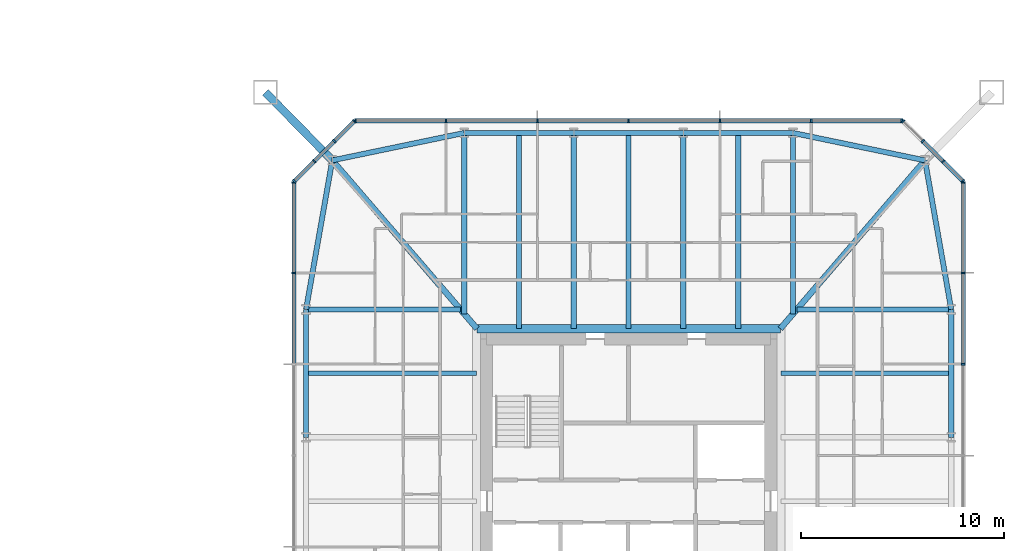
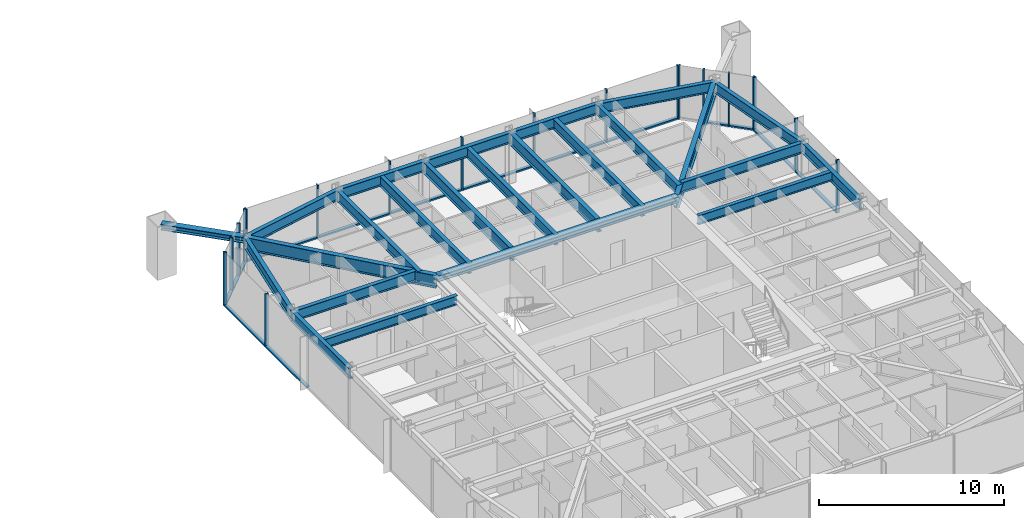
# One storey, part 10 of 26: 36 members, 23 beams, 5 elements without a shape of their own.
"""IFC4 building model written with IfcOpenShell, lengths in metres."""

from ifc_helpers import new_model, si_unit, direction, frame, origin, origin_2d, place, context, subcontext, project, spatial, rectangle, i_section, extrude, material, material_profile, profile_set, type_object, element, aggregate, save


model = new_model("IFC4")

# Units and contexts
model_context = context("Model", 3, precision=1e-05, world=origin(), true_north=direction((0.0, 1.0)))
body_context = subcontext(model_context, "Body", "Model", "MODEL_VIEW")
ifc_project = project(units=[si_unit("LENGTHUNIT", "METRE"), si_unit("AREAUNIT", "SQUARE_METRE"), si_unit("VOLUMEUNIT", "CUBIC_METRE"), si_unit("PLANEANGLEUNIT", "RADIAN"), si_unit("MASSUNIT", "GRAM", prefix="KILO")], contexts=[model_context])

# Site, building, storey
site_placement = place(None, origin())
site = spatial("IfcSite", under=ifc_project, at=site_placement, CompositionType="ELEMENT")
building_placement = place(site_placement, origin())
building = spatial("IfcBuilding", under=site, at=building_placement, Name="Iwan Alto Co-Living Towers", CompositionType="ELEMENT")
storey_placement = place(building_placement, frame((0.0, 0.0, 39.5)))
storey = spatial("IfcBuildingStorey", under=building, at=storey_placement, Name="L10", CompositionType="ELEMENT", Elevation=39.5)

# Curtain wall, members
ifc_material_1 = material(Name="Bronze aluminium unitised frame", Category="aluminium")
curtain_wall_type_1 = type_object("IfcCurtainWallType", Name="CURTAIN WALL CW-C", PredefinedType="NOTDEFINED", material=ifc_material_1)
curtain_wall_1_placement = place(storey_placement, origin())
curtain_wall_1 = element("IfcCurtainWall", 1, at=curtain_wall_1_placement, inside=storey, type_object=curtain_wall_type_1, Name="T2 curtain wall E L10", PredefinedType="NOTDEFINED")
ifc_material_2 = material(Name="Aluminium 6063-T6 bronze anodised", Category="aluminium")
ifc_material_profile_1 = material_profile(ifc_material_2, rectangle(XDim=0.199951171875, YDim=0.080078125, at=origin_2d()), Name="AL 80X200")
ifc_profile_set_1 = profile_set([ifc_material_profile_1], Name="Aluminium 6063-T6 bronze anodised")
member_type_1 = type_object("IfcMemberType", Name="CW-C MULLION 80X200", PredefinedType="MULLION", material=ifc_profile_set_1)
member_1_placement = place(storey_placement, frame((79.5, 6.75, 0.0), z_axis=(0.0, 0.0, 1.0), x_axis=(-1.0, 0.0, 0.0)))
member_1 = element("IfcMember", 2, at=member_1_placement, type_object=member_type_1, Name="CW-C mullion 6", PredefinedType="MULLION", context=body_context, shape_type="SweptSolid", body=[
    extrude(rectangle(XDim=0.199951171875, YDim=0.080078125, at=origin_2d()), origin(), (0.0, 0.0, 1.0), 3.5),
])
member_2_placement = place(storey_placement, frame((79.5, 11.25, 0.0), z_axis=(0.0, 0.0, 1.0), x_axis=(-1.0, 0.0, 0.0)))
member_2 = element("IfcMember", 3, at=member_2_placement, type_object=member_type_1, Name="CW-C mullion 7", PredefinedType="MULLION", context=body_context, shape_type="SweptSolid", body=[
    extrude(rectangle(XDim=0.199951171875, YDim=0.080078125, at=origin_2d()), origin(), (0.0, 0.0, 1.0), 3.5),
])
member_3_placement = place(storey_placement, frame((79.5, 15.7099609375, 0.0), z_axis=(0.0, 0.0, 1.0), x_axis=(-1.0, 0.0, 0.0)))
member_3 = element("IfcMember", 4, at=member_3_placement, type_object=member_type_1, Name="CW-C mullion 8", PredefinedType="MULLION", context=body_context, shape_type="SweptSolid", body=[
    extrude(rectangle(XDim=0.199951171875, YDim=0.080078125, at=origin_2d()), origin(), (0.0, 0.0, 1.0), 3.5),
])

curtain_wall_2_placement = place(storey_placement, origin())
curtain_wall_2 = element("IfcCurtainWall", 5, at=curtain_wall_2_placement, inside=storey, type_object=curtain_wall_type_1, Name="T2 curtain wall N L10", PredefinedType="NOTDEFINED")
member_4_placement = place(storey_placement, frame((76.4599609375, 18.75, 0.0), z_axis=(0.0, 0.0, 1.0), x_axis=(0.0, -1.0, 0.0)))
member_4 = element("IfcMember", 6, at=member_4_placement, type_object=member_type_1, Name="CW-C mullion 1", PredefinedType="MULLION", context=body_context, shape_type="SweptSolid", body=[
    extrude(rectangle(XDim=0.199951171875, YDim=0.080078125, at=origin_2d()), origin(), (0.0, 0.0, 1.0), 3.5),
])
member_5_placement = place(storey_placement, frame((72.0, 18.75, 0.0), z_axis=(0.0, 0.0, 1.0), x_axis=(0.0, -1.0, 0.0)))
member_5 = element("IfcMember", 7, at=member_5_placement, type_object=member_type_1, Name="CW-C mullion 2", PredefinedType="MULLION", context=body_context, shape_type="SweptSolid", body=[
    extrude(rectangle(XDim=0.199951171875, YDim=0.080078125, at=origin_2d()), origin(), (0.0, 0.0, 1.0), 3.5),
])
member_6_placement = place(storey_placement, frame((67.5, 18.75, 0.0), z_axis=(0.0, 0.0, 1.0), x_axis=(0.0, -1.0, 0.0)))
member_6 = element("IfcMember", 8, at=member_6_placement, type_object=member_type_1, Name="CW-C mullion 3", PredefinedType="MULLION", context=body_context, shape_type="SweptSolid", body=[
    extrude(rectangle(XDim=0.199951171875, YDim=0.080078125, at=origin_2d()), origin(), (0.0, 0.0, 1.0), 3.5),
])
member_7_placement = place(storey_placement, frame((63.0, 18.75, 0.0), z_axis=(0.0, 0.0, 1.0), x_axis=(0.0, -1.0, 0.0)))
member_7 = element("IfcMember", 9, at=member_7_placement, type_object=member_type_1, Name="CW-C mullion 4", PredefinedType="MULLION", context=body_context, shape_type="SweptSolid", body=[
    extrude(rectangle(XDim=0.199951171875, YDim=0.080078125, at=origin_2d()), origin(), (0.0, 0.0, 1.0), 3.5),
])
member_8_placement = place(storey_placement, frame((58.5, 18.75, 0.0), z_axis=(0.0, 0.0, 1.0), x_axis=(0.0, -1.0, 0.0)))
member_8 = element("IfcMember", 10, at=member_8_placement, type_object=member_type_1, Name="CW-C mullion 5", PredefinedType="MULLION", context=body_context, shape_type="SweptSolid", body=[
    extrude(rectangle(XDim=0.199951171875, YDim=0.080078125, at=origin_2d()), origin(), (0.0, 0.0, 1.0), 3.5),
])
member_9_placement = place(storey_placement, frame((54.0, 18.75, 0.0), z_axis=(0.0, 0.0, 1.0), x_axis=(0.0, -1.0, 0.0)))
member_9 = element("IfcMember", 11, at=member_9_placement, type_object=member_type_1, Name="CW-C mullion 6", PredefinedType="MULLION", context=body_context, shape_type="SweptSolid", body=[
    extrude(rectangle(XDim=0.199951171875, YDim=0.080078125, at=origin_2d()), origin(), (0.0, 0.0, 1.0), 3.5),
])
member_10_placement = place(storey_placement, frame((49.5400390625, 18.75, 0.0), z_axis=(0.0, 0.0, 1.0), x_axis=(0.0, -1.0, 0.0)))
member_10 = element("IfcMember", 12, at=member_10_placement, type_object=member_type_1, Name="CW-C mullion 7", PredefinedType="MULLION", context=body_context, shape_type="SweptSolid", body=[
    extrude(rectangle(XDim=0.199951171875, YDim=0.080078125, at=origin_2d()), origin(), (0.0, 0.0, 1.0), 3.5),
])

curtain_wall_3_placement = place(storey_placement, origin())
curtain_wall_3 = element("IfcCurtainWall", 13, at=curtain_wall_3_placement, inside=storey, type_object=curtain_wall_type_1, Name="T2 curtain wall W L10", PredefinedType="NOTDEFINED")
member_11_placement = place(storey_placement, frame((46.5, 15.7099609375, 0.0), z_axis=(0.0, 0.0, 1.0), x_axis=(1.0, 0.0, 0.0)))
member_11 = element("IfcMember", 14, at=member_11_placement, type_object=member_type_1, Name="CW-C mullion 1", PredefinedType="MULLION", context=body_context, shape_type="SweptSolid", body=[
    extrude(rectangle(XDim=0.199951171875, YDim=0.080078125, at=origin_2d()), origin(), (0.0, 0.0, 1.0), 3.5),
])
member_12_placement = place(storey_placement, frame((46.5, 11.25, 0.0), z_axis=(0.0, 0.0, 1.0), x_axis=(1.0, 0.0, 0.0)))
member_12 = element("IfcMember", 15, at=member_12_placement, type_object=member_type_1, Name="CW-C mullion 2", PredefinedType="MULLION", context=body_context, shape_type="SweptSolid", body=[
    extrude(rectangle(XDim=0.199951171875, YDim=0.080078125, at=origin_2d()), origin(), (0.0, 0.0, 1.0), 3.5),
])

# Member
ifc_material_3 = material(Name="Aluminium 6063-T6 bronze anodised", Category="aluminium")
ifc_material_profile_2 = material_profile(ifc_material_3, rectangle(XDim=0.199951171875, YDim=0.10009765625, at=origin_2d()), Name="AL 200X100")
ifc_profile_set_2 = profile_set([ifc_material_profile_2], Name="Aluminium 6063-T6 bronze anodised")
member_type_2 = type_object("IfcMemberType", Name="CW-C TRANSOM 200X100", PredefinedType="USERDEFINED", material=ifc_profile_set_2)
member_13_placement = place(storey_placement, frame((79.5, 6.7900390625, 0.050048828125), z_axis=(0.0, 1.0, 0.0), x_axis=(-1.0, 0.0, 0.0)))
member_13 = element("IfcMember", 16, at=member_13_placement, type_object=member_type_2, Name="CW-C transom 6.1", ObjectType="TRANSOM", PredefinedType="USERDEFINED", context=body_context, shape_type="SweptSolid", body=[
    extrude(rectangle(XDim=0.199951171875, YDim=0.10009765625, at=origin_2d()), origin(), (0.0, 0.0, 1.0), 4.419921875),
])

member_14_placement = place(storey_placement, frame((79.5, 11.2900390625, 0.050048828125), z_axis=(0.0, 1.0, 0.0), x_axis=(-1.0, 0.0, 0.0)))
member_14 = element("IfcMember", 17, at=member_14_placement, type_object=member_type_2, Name="CW-C transom 7.1", ObjectType="TRANSOM", PredefinedType="USERDEFINED", context=body_context, shape_type="SweptSolid", body=[
    extrude(rectangle(XDim=0.199951171875, YDim=0.10009765625, at=origin_2d()), origin(), (0.0, 0.0, 1.0), 4.3798828125),
])

aggregate(curtain_wall_1, [member_1, member_2, member_3, member_13, member_14])

member_15_placement = place(storey_placement, frame((76.419921875, 18.75, 0.050048828125), z_axis=(-1.0, 0.0, 0.0), x_axis=(0.0, -1.0, 0.0)))
member_15 = element("IfcMember", 18, at=member_15_placement, type_object=member_type_2, Name="CW-C transom 1.1", ObjectType="TRANSOM", PredefinedType="USERDEFINED", context=body_context, shape_type="SweptSolid", body=[
    extrude(rectangle(XDim=0.199951171875, YDim=0.10009765625, at=origin_2d()), origin(), (0.0, 0.0, 1.0), 4.3798828125),
])

member_16_placement = place(storey_placement, frame((71.9599609375, 18.75, 0.050048828125), z_axis=(-1.0, 0.0, 0.0), x_axis=(0.0, -1.0, 0.0)))
member_16 = element("IfcMember", 19, at=member_16_placement, type_object=member_type_2, Name="CW-C transom 2.1", ObjectType="TRANSOM", PredefinedType="USERDEFINED", context=body_context, shape_type="SweptSolid", body=[
    extrude(rectangle(XDim=0.199951171875, YDim=0.10009765625, at=origin_2d()), origin(), (0.0, 0.0, 1.0), 4.419921875),
])

member_17_placement = place(storey_placement, frame((67.4599609375, 18.75, 0.050048828125), z_axis=(-1.0, 0.0, 0.0), x_axis=(0.0, -1.0, 0.0)))
member_17 = element("IfcMember", 20, at=member_17_placement, type_object=member_type_2, Name="CW-C transom 3.1", ObjectType="TRANSOM", PredefinedType="USERDEFINED", context=body_context, shape_type="SweptSolid", body=[
    extrude(rectangle(XDim=0.199951171875, YDim=0.10009765625, at=origin_2d()), origin(), (0.0, 0.0, 1.0), 4.419921875),
])

member_18_placement = place(storey_placement, frame((62.9599609375, 18.75, 0.050048828125), z_axis=(-1.0, 0.0, 0.0), x_axis=(0.0, -1.0, 0.0)))
member_18 = element("IfcMember", 21, at=member_18_placement, type_object=member_type_2, Name="CW-C transom 4.1", ObjectType="TRANSOM", PredefinedType="USERDEFINED", context=body_context, shape_type="SweptSolid", body=[
    extrude(rectangle(XDim=0.199951171875, YDim=0.10009765625, at=origin_2d()), origin(), (0.0, 0.0, 1.0), 4.419921875),
])

member_19_placement = place(storey_placement, frame((58.4599609375, 18.75, 0.050048828125), z_axis=(-1.0, 0.0, 0.0), x_axis=(0.0, -1.0, 0.0)))
member_19 = element("IfcMember", 22, at=member_19_placement, type_object=member_type_2, Name="CW-C transom 5.1", ObjectType="TRANSOM", PredefinedType="USERDEFINED", context=body_context, shape_type="SweptSolid", body=[
    extrude(rectangle(XDim=0.199951171875, YDim=0.10009765625, at=origin_2d()), origin(), (0.0, 0.0, 1.0), 4.419921875),
])

member_20_placement = place(storey_placement, frame((53.9599609375, 18.75, 0.050048828125), z_axis=(-1.0, 0.0, 0.0), x_axis=(0.0, -1.0, 0.0)))
member_20 = element("IfcMember", 23, at=member_20_placement, type_object=member_type_2, Name="CW-C transom 6.1", ObjectType="TRANSOM", PredefinedType="USERDEFINED", context=body_context, shape_type="SweptSolid", body=[
    extrude(rectangle(XDim=0.199951171875, YDim=0.10009765625, at=origin_2d()), origin(), (0.0, 0.0, 1.0), 4.3798828125),
])

aggregate(curtain_wall_2, [member_4, member_5, member_6, member_7, member_8, member_9, member_10, member_15, member_16, member_17, member_18, member_19, member_20])

member_21_placement = place(storey_placement, frame((46.5, 15.669921875, 0.050048828125), z_axis=(0.0, -1.0, 0.0), x_axis=(1.0, 0.0, 0.0)))
member_21 = element("IfcMember", 24, at=member_21_placement, type_object=member_type_2, Name="CW-C transom 1.1", ObjectType="TRANSOM", PredefinedType="USERDEFINED", context=body_context, shape_type="SweptSolid", body=[
    extrude(rectangle(XDim=0.199951171875, YDim=0.10009765625, at=origin_2d()), origin(), (0.0, 0.0, 1.0), 4.3798828125),
])

member_22_placement = place(storey_placement, frame((46.5, 11.2099609375, 0.050048828125), z_axis=(0.0, -1.0, 0.0), x_axis=(1.0, 0.0, 0.0)))
member_22 = element("IfcMember", 25, at=member_22_placement, type_object=member_type_2, Name="CW-C transom 2.1", ObjectType="TRANSOM", PredefinedType="USERDEFINED", context=body_context, shape_type="SweptSolid", body=[
    extrude(rectangle(XDim=0.199951171875, YDim=0.10009765625, at=origin_2d()), origin(), (0.0, 0.0, 1.0), 4.419921875),
])

aggregate(curtain_wall_3, [member_11, member_12, member_21, member_22])

# Curtain wall, members
ifc_material_4 = material(Name="Bronze aluminium unitised frame", Category="aluminium")
curtain_wall_type_2 = type_object("IfcCurtainWallType", Name="CURTAIN WALL CW-D", PredefinedType="NOTDEFINED", material=ifc_material_4)
curtain_wall_4_placement = place(storey_placement, origin())
curtain_wall_4 = element("IfcCurtainWall", 26, at=curtain_wall_4_placement, inside=storey, type_object=curtain_wall_type_2, Name="T2 chamfer curtain wall NE L10", PredefinedType="NOTDEFINED")
ifc_material_5 = material(Name="Aluminium 6063-T6 bronze anodised", Category="aluminium")
ifc_material_profile_3 = material_profile(ifc_material_5, rectangle(XDim=0.199951171875, YDim=0.080078125, at=origin_2d()), Name="AL 80X200")
ifc_profile_set_3 = profile_set([ifc_material_profile_3], Name="Aluminium 6063-T6 bronze anodised")
member_type_3 = type_object("IfcMemberType", Name="CW-D MULLION 80X200", PredefinedType="MULLION", material=ifc_profile_set_3)
member_23_placement = place(storey_placement, frame((79.4716796875, 15.7783203125, 0.0), z_axis=(0.0, 0.0, 1.0), x_axis=(-0.707106781187, -0.707106781187, 0.0)))
member_23 = element("IfcMember", 27, at=member_23_placement, type_object=member_type_3, Name="CW-D mullion 1", PredefinedType="MULLION", context=body_context, shape_type="SweptSolid", body=[
    extrude(rectangle(XDim=0.199951171875, YDim=0.080078125, at=origin_2d()), origin(), (0.0, 0.0, 1.0), 3.5),
])
member_24_placement = place(storey_placement, frame((78.5, 16.75, 0.0), z_axis=(0.0, 0.0, 1.0), x_axis=(-0.707106781187, -0.707106781187, 0.0)))
member_24 = element("IfcMember", 28, at=member_24_placement, type_object=member_type_3, Name="CW-D mullion 2", PredefinedType="MULLION", context=body_context, shape_type="SweptSolid", body=[
    extrude(rectangle(XDim=0.199951171875, YDim=0.080078125, at=origin_2d()), origin(), (0.0, 0.0, 1.0), 3.5),
])
member_25_placement = place(storey_placement, frame((77.5, 17.75, 0.0), z_axis=(0.0, 0.0, 1.0), x_axis=(-0.707106781187, -0.707106781187, 0.0)))
member_25 = element("IfcMember", 29, at=member_25_placement, type_object=member_type_3, Name="CW-D mullion 3", PredefinedType="MULLION", context=body_context, shape_type="SweptSolid", body=[
    extrude(rectangle(XDim=0.199951171875, YDim=0.080078125, at=origin_2d()), origin(), (0.0, 0.0, 1.0), 3.5),
])
member_26_placement = place(storey_placement, frame((76.5283203125, 18.7216796875, 0.0), z_axis=(0.0, 0.0, 1.0), x_axis=(-0.707106781187, -0.707106781187, 0.0)))
member_26 = element("IfcMember", 30, at=member_26_placement, type_object=member_type_3, Name="CW-D mullion 4", PredefinedType="MULLION", context=body_context, shape_type="SweptSolid", body=[
    extrude(rectangle(XDim=0.199951171875, YDim=0.080078125, at=origin_2d()), origin(), (0.0, 0.0, 1.0), 3.5),
])

curtain_wall_5_placement = place(storey_placement, origin())
curtain_wall_5 = element("IfcCurtainWall", 31, at=curtain_wall_5_placement, inside=storey, type_object=curtain_wall_type_2, Name="T2 chamfer curtain wall NW L10", PredefinedType="NOTDEFINED")
member_27_placement = place(storey_placement, frame((49.4716796875, 18.7216796875, 0.0), z_axis=(0.0, 0.0, 1.0), x_axis=(0.707106781187, -0.707106781187, 0.0)))
member_27 = element("IfcMember", 32, at=member_27_placement, type_object=member_type_3, Name="CW-D mullion 1", PredefinedType="MULLION", context=body_context, shape_type="SweptSolid", body=[
    extrude(rectangle(XDim=0.199951171875, YDim=0.080078125, at=origin_2d()), origin(), (0.0, 0.0, 1.0), 3.5),
])
member_28_placement = place(storey_placement, frame((48.5, 17.75, 0.0), z_axis=(0.0, 0.0, 1.0), x_axis=(0.707106781187, -0.707106781187, 0.0)))
member_28 = element("IfcMember", 33, at=member_28_placement, type_object=member_type_3, Name="CW-D mullion 2", PredefinedType="MULLION", context=body_context, shape_type="SweptSolid", body=[
    extrude(rectangle(XDim=0.199951171875, YDim=0.080078125, at=origin_2d()), origin(), (0.0, 0.0, 1.0), 3.5),
])
member_29_placement = place(storey_placement, frame((47.5, 16.75, 0.0), z_axis=(0.0, 0.0, 1.0), x_axis=(0.707106781187, -0.707106781187, 0.0)))
member_29 = element("IfcMember", 34, at=member_29_placement, type_object=member_type_3, Name="CW-D mullion 3", PredefinedType="MULLION", context=body_context, shape_type="SweptSolid", body=[
    extrude(rectangle(XDim=0.199951171875, YDim=0.080078125, at=origin_2d()), origin(), (0.0, 0.0, 1.0), 3.5),
])
member_30_placement = place(storey_placement, frame((46.5283203125, 15.7783203125, 0.0), z_axis=(0.0, 0.0, 1.0), x_axis=(0.707106781187, -0.707106781187, 0.0)))
member_30 = element("IfcMember", 35, at=member_30_placement, type_object=member_type_3, Name="CW-D mullion 4", PredefinedType="MULLION", context=body_context, shape_type="SweptSolid", body=[
    extrude(rectangle(XDim=0.199951171875, YDim=0.080078125, at=origin_2d()), origin(), (0.0, 0.0, 1.0), 3.5),
])

# Member
ifc_material_6 = material(Name="Aluminium 6063-T6 bronze anodised", Category="aluminium")
ifc_material_profile_4 = material_profile(ifc_material_6, rectangle(XDim=0.199951171875, YDim=0.10009765625, at=origin_2d()), Name="AL 200X100")
ifc_profile_set_4 = profile_set([ifc_material_profile_4], Name="Aluminium 6063-T6 bronze anodised")
member_type_4 = type_object("IfcMemberType", Name="CW-D TRANSOM 200X100", PredefinedType="USERDEFINED", material=ifc_profile_set_4)
member_31_placement = place(storey_placement, frame((79.443359375, 15.806640625, 0.050048828125), z_axis=(-0.707106781187, 0.707106781187, 0.0), x_axis=(-0.707106781187, -0.707106781187, 0.0)))
member_31 = element("IfcMember", 36, at=member_31_placement, type_object=member_type_4, Name="CW-D transom 1.1", ObjectType="TRANSOM", PredefinedType="USERDEFINED", context=body_context, shape_type="SweptSolid", body=[
    extrude(rectangle(XDim=0.199951171875, YDim=0.10009765625, at=origin_2d()), origin(), (0.0, 0.0, 1.0), 1.2939453125),
])

member_32_placement = place(storey_placement, frame((78.4716796875, 16.7783203125, 0.050048828125), z_axis=(-0.707106781187, 0.707106781187, 0.0), x_axis=(-0.707106781187, -0.707106781187, 0.0)))
member_32 = element("IfcMember", 37, at=member_32_placement, type_object=member_type_4, Name="CW-D transom 2.1", ObjectType="TRANSOM", PredefinedType="USERDEFINED", context=body_context, shape_type="SweptSolid", body=[
    extrude(rectangle(XDim=0.199951171875, YDim=0.10009765625, at=origin_2d()), origin(), (0.0, 0.0, 1.0), 1.334228515625),
])

aggregate(curtain_wall_4, [member_23, member_24, member_25, member_26, member_31, member_32])

member_33_placement = place(storey_placement, frame((49.443359375, 18.693359375, 0.050048828125), z_axis=(-0.707106781187, -0.707106781187, 0.0), x_axis=(0.707106781187, -0.707106781187, 0.0)))
member_33 = element("IfcMember", 38, at=member_33_placement, type_object=member_type_4, Name="CW-D transom 1.1", ObjectType="TRANSOM", PredefinedType="USERDEFINED", context=body_context, shape_type="SweptSolid", body=[
    extrude(rectangle(XDim=0.199951171875, YDim=0.10009765625, at=origin_2d()), origin(), (0.0, 0.0, 1.0), 1.2939453125),
])

member_34_placement = place(storey_placement, frame((48.4716796875, 17.7216796875, 0.050048828125), z_axis=(-0.707106781187, -0.707106781187, 0.0), x_axis=(0.707106781187, -0.707106781187, 0.0)))
member_34 = element("IfcMember", 39, at=member_34_placement, type_object=member_type_4, Name="CW-D transom 2.1", ObjectType="TRANSOM", PredefinedType="USERDEFINED", context=body_context, shape_type="SweptSolid", body=[
    extrude(rectangle(XDim=0.199951171875, YDim=0.10009765625, at=origin_2d()), origin(), (0.0, 0.0, 1.0), 1.334228515625),
])

member_35_placement = place(storey_placement, frame((47.4716796875, 16.7216796875, 0.050048828125), z_axis=(-0.707106781187, -0.707106781187, 0.0), x_axis=(0.707106781187, -0.707106781187, 0.0)))
member_35 = element("IfcMember", 40, at=member_35_placement, type_object=member_type_4, Name="CW-D transom 3.1", ObjectType="TRANSOM", PredefinedType="USERDEFINED", context=body_context, shape_type="SweptSolid", body=[
    extrude(rectangle(XDim=0.199951171875, YDim=0.10009765625, at=origin_2d()), origin(), (0.0, 0.0, 1.0), 1.2939453125),
])

aggregate(curtain_wall_5, [member_27, member_28, member_29, member_30, member_33, member_34, member_35])

# Beams
ifc_material_7 = material(Name="Steel ASTM A992 Gr 50", Category="steel")
ifc_material_profile_5 = material_profile(ifc_material_7, i_section(OverallWidth=0.40380859375, OverallDepth=0.406494140625, WebThickness=0.027099609375, FlangeThickness=0.043701171875, at=origin_2d()), Name="W14X233")
ifc_profile_set_5 = profile_set([ifc_material_profile_5], Name="Steel ASTM A992 Gr 50")
beam_type_1 = type_object("IfcBeamType", Name="T2 CORE LEDGER BEAM W14X233", PredefinedType="BEAM", material=ifc_profile_set_5)
beam_1_placement = place(storey_placement, frame((70.4736328125, 8.501953125, 3.06689453125), z_axis=(-1.0, 0.0, 0.0), x_axis=(0.0, -1.0, 0.0)))
element("IfcBeam", 41, at=beam_1_placement, inside=storey, type_object=beam_type_1, Name="T2 core ledger beam N L11", PredefinedType="BEAM", context=body_context, shape_type="SweptSolid", body=[
    extrude(i_section(OverallWidth=0.40380859375, OverallDepth=0.406494140625, WebThickness=0.027099609375, FlangeThickness=0.043701171875, at=origin_2d()), origin(), (0.0, 0.0, 1.0), 14.947265625),
])
ifc_material_8 = material(Name="Steel ASTM A992 Gr 50", Category="steel")
ifc_material_profile_6 = material_profile(ifc_material_8, i_section(OverallWidth=0.2919921875, OverallDepth=0.8408203125, WebThickness=0.0146484375, FlangeThickness=0.021728515625, at=origin_2d()), Name="W33X130")
ifc_profile_set_6 = profile_set([ifc_material_profile_6], Name="Steel ASTM A992 Gr 50")
beam_type_2 = type_object("IfcBeamType", Name="T2 CORNER GIRDER W33X130", PredefinedType="BEAM", material=ifc_profile_set_6)
for number, where, z_axis, x_axis, name in (
    (42, (77.606201171875, 16.797119140625, 2.849609375), (-0.651972301827, -0.758242782788, 0.0), (0.758242782788, -0.651972301827, 0.0), "T2 corner girder CNE L11"),
    (43, (48.393798828125, 16.797119140625, 2.849609375), (0.651972301827, -0.758242782788, 0.0), (0.758242782788, 0.651972301827, 0.0), "T2 corner girder CNW L11"),
):
    element("IfcBeam", number, at=place(storey_placement, frame(where, z_axis=z_axis, x_axis=x_axis)), inside=storey, type_object=beam_type_2, Name=name, PredefinedType="BEAM", context=body_context, shape_type="SweptSolid", body=[
        extrude(i_section(OverallWidth=0.2919921875, OverallDepth=0.8408203125, WebThickness=0.0146484375, FlangeThickness=0.021728515625, at=origin_2d()), origin(), (0.0, 0.0, 1.0), 10.93994140625),
    ])
ifc_material_9 = material(Name="Steel ASTM A992 Gr 50", Category="steel")
ifc_material_profile_7 = material_profile(ifc_material_9, i_section(OverallWidth=0.25390625, OverallDepth=0.683349609375, WebThickness=0.012451171875, FlangeThickness=0.018798828125, at=origin_2d()), Name="W27X94")
ifc_profile_set_7 = profile_set([ifc_material_profile_7], Name="Steel ASTM A992 Gr 50")
beam_type_3 = type_object("IfcBeamType", Name="T2 EDGE BEAM W27X94", PredefinedType="BEAM", material=ifc_profile_set_7)
beam_2_placement = place(storey_placement, frame((78.89990234375, 3.14990234375, 2.928466796875), z_axis=(0.0, 1.0, 0.0), x_axis=(-1.0, 0.0, 0.0)))
element("IfcBeam", 44, at=beam_2_placement, inside=storey, type_object=beam_type_3, Name="T2 edge beam E3 L11", PredefinedType="BEAM", context=body_context, shape_type="SweptSolid", body=[
    extrude(i_section(OverallWidth=0.25390625, OverallDepth=0.683349609375, WebThickness=0.012451171875, FlangeThickness=0.018798828125, at=origin_2d()), origin(), (0.0, 0.0, 1.0), 6.300048828125),
])
beam_3_placement = place(storey_placement, frame((78.89990234375, 9.449951171875, 2.928466796875), z_axis=(-0.173413807283, 0.98484905008, 0.0), x_axis=(-0.98484905008, -0.173413807283, 0.0)))
element("IfcBeam", 45, at=beam_3_placement, inside=storey, type_object=beam_type_3, Name="T2 edge beam E4 L11", PredefinedType="BEAM", context=body_context, shape_type="SweptSolid", body=[
    extrude(i_section(OverallWidth=0.25390625, OverallDepth=0.683349609375, WebThickness=0.012451171875, FlangeThickness=0.018798828125, at=origin_2d()), origin(), (0.0, 0.0, 1.0), 7.460205078125),
])
beam_4_placement = place(storey_placement, frame((77.606201171875, 16.797119140625, 2.928466796875), z_axis=(-0.979060119423, 0.203571320564, 0.0), x_axis=(-0.203571320564, -0.979060119423, 0.0)))
element("IfcBeam", 46, at=beam_4_placement, inside=storey, type_object=beam_type_3, Name="T2 edge beam CNE L11", PredefinedType="BEAM", context=body_context, shape_type="SweptSolid", body=[
    extrude(i_section(OverallWidth=0.25390625, OverallDepth=0.683349609375, WebThickness=0.012451171875, FlangeThickness=0.018798828125, at=origin_2d()), origin(), (0.0, 0.0, 1.0), 6.645263671875),
])
beam_5_placement = place(storey_placement, frame((71.10009765625, 18.14990234375, 2.928466796875), z_axis=(-1.0, 0.0, 0.0), x_axis=(0.0, -1.0, 0.0)))
element("IfcBeam", 47, at=beam_5_placement, inside=storey, type_object=beam_type_3, Name="T2 edge beam N1 L11", PredefinedType="BEAM", context=body_context, shape_type="SweptSolid", body=[
    extrude(i_section(OverallWidth=0.25390625, OverallDepth=0.683349609375, WebThickness=0.012451171875, FlangeThickness=0.018798828125, at=origin_2d()), origin(), (0.0, 0.0, 1.0), 5.400146484375),
])
beam_6_placement = place(storey_placement, frame((65.699951171875, 18.14990234375, 2.928466796875), z_axis=(-1.0, 0.0, 0.0), x_axis=(0.0, -1.0, 0.0)))
element("IfcBeam", 48, at=beam_6_placement, inside=storey, type_object=beam_type_3, Name="T2 edge beam N2 L11", PredefinedType="BEAM", context=body_context, shape_type="SweptSolid", body=[
    extrude(i_section(OverallWidth=0.25390625, OverallDepth=0.683349609375, WebThickness=0.012451171875, FlangeThickness=0.018798828125, at=origin_2d()), origin(), (0.0, 0.0, 1.0), 5.39990234375),
])
beam_7_placement = place(storey_placement, frame((60.300048828125, 18.14990234375, 2.928466796875), z_axis=(-1.0, 0.0, 0.0), x_axis=(0.0, -1.0, 0.0)))
element("IfcBeam", 49, at=beam_7_placement, inside=storey, type_object=beam_type_3, Name="T2 edge beam N3 L11", PredefinedType="BEAM", context=body_context, shape_type="SweptSolid", body=[
    extrude(i_section(OverallWidth=0.25390625, OverallDepth=0.683349609375, WebThickness=0.012451171875, FlangeThickness=0.018798828125, at=origin_2d()), origin(), (0.0, 0.0, 1.0), 5.400146484375),
])
beam_8_placement = place(storey_placement, frame((54.89990234375, 18.14990234375, 2.928466796875), z_axis=(-0.979060119423, -0.203571320564, 0.0), x_axis=(0.203571320564, -0.979060119423, 0.0)))
element("IfcBeam", 50, at=beam_8_placement, inside=storey, type_object=beam_type_3, Name="T2 edge beam N4 L11", PredefinedType="BEAM", context=body_context, shape_type="SweptSolid", body=[
    extrude(i_section(OverallWidth=0.25390625, OverallDepth=0.683349609375, WebThickness=0.012451171875, FlangeThickness=0.018798828125, at=origin_2d()), origin(), (0.0, 0.0, 1.0), 6.645263671875),
])
beam_9_placement = place(storey_placement, frame((48.393798828125, 16.797119140625, 2.928466796875), z_axis=(-0.173413807283, -0.98484905008, 0.0), x_axis=(0.98484905008, -0.173413807283, 0.0)))
element("IfcBeam", 51, at=beam_9_placement, inside=storey, type_object=beam_type_3, Name="T2 edge beam CNW L11", PredefinedType="BEAM", context=body_context, shape_type="SweptSolid", body=[
    extrude(i_section(OverallWidth=0.25390625, OverallDepth=0.683349609375, WebThickness=0.012451171875, FlangeThickness=0.018798828125, at=origin_2d()), origin(), (0.0, 0.0, 1.0), 7.460205078125),
])
beam_10_placement = place(storey_placement, frame((47.10009765625, 9.449951171875, 2.928466796875), z_axis=(0.0, -1.0, 0.0), x_axis=(1.0, 0.0, 0.0)))
element("IfcBeam", 52, at=beam_10_placement, inside=storey, type_object=beam_type_3, Name="T2 edge beam W1 L11", PredefinedType="BEAM", context=body_context, shape_type="SweptSolid", body=[
    extrude(i_section(OverallWidth=0.25390625, OverallDepth=0.683349609375, WebThickness=0.012451171875, FlangeThickness=0.018798828125, at=origin_2d()), origin(), (0.0, 0.0, 1.0), 6.300048828125),
])

# Member
ifc_material_10 = material(Name="Steel ASTM A992 Gr 50", Category="steel")
ifc_material_profile_8 = material_profile(ifc_material_10, i_section(OverallWidth=0.393798828125, OverallDepth=0.3759765625, WebThickness=0.017333984375, FlangeThickness=0.027587890625, at=origin_2d()), Name="W14X145")
ifc_profile_set_8 = profile_set([ifc_material_profile_8], Name="Steel ASTM A992 Gr 50")
member_type_5 = type_object("IfcMemberType", Name="T2 MEGA COLUMN FLOOR TIE W14X145", PredefinedType="STRUT", material=ifc_profile_set_8)
member_36_placement = place(storey_placement, frame((45.10009765625, 20.14990234375, 3.08203125), z_axis=(0.700793469544, -0.71336422187, 0.0), x_axis=(0.71336422187, 0.700793469544, 0.0)))
element("IfcMember", 53, at=member_36_placement, inside=storey, type_object=member_type_5, Name="T2 mega column floor tie NW L11", PredefinedType="STRUT", context=body_context, shape_type="SweptSolid", body=[
    extrude(i_section(OverallWidth=0.393798828125, OverallDepth=0.3759765625, WebThickness=0.017333984375, FlangeThickness=0.027587890625, at=origin_2d()), origin(), (0.0, 0.0, 1.0), 4.699951171875),
])

# Beams
ifc_material_11 = material(Name="Steel ASTM A992 Gr 50", Category="steel")
ifc_material_profile_9 = material_profile(ifc_material_11, i_section(OverallWidth=0.25390625, OverallDepth=0.683349609375, WebThickness=0.012451171875, FlangeThickness=0.018798828125, at=origin_2d()), Name="W27X94")
ifc_profile_set_9 = profile_set([ifc_material_profile_9], Name="Steel ASTM A992 Gr 50")
beam_type_4 = type_object("IfcBeamType", Name="T2 RADIAL BEAM W27X94", PredefinedType="BEAM", material=ifc_profile_set_9)
beam_11_placement = place(storey_placement, frame((78.89990234375, 9.449951171875, 2.928466796875), z_axis=(-1.0, 0.0, 0.0), x_axis=(0.0, -1.0, 0.0)))
element("IfcBeam", 54, at=beam_11_placement, inside=storey, type_object=beam_type_4, Name="T2 radial beam E4 L11", PredefinedType="BEAM", context=body_context, shape_type="SweptSolid", body=[
    extrude(i_section(OverallWidth=0.25390625, OverallDepth=0.683349609375, WebThickness=0.012451171875, FlangeThickness=0.018798828125, at=origin_2d()), origin(), (0.0, 0.0, 1.0), 7.611083984375),
])
for number, where, z_axis, x_axis, name in (
    (55, (71.10009765625, 18.14990234375, 2.928466796875), (0.0, -1.0, 0.0), (1.0, 0.0, 0.0), "T2 radial beam N1 L11"),
    (56, (54.89990234375, 18.14990234375, 2.928466796875), (0.0, -1.0, 0.0), (1.0, 0.0, 0.0), "T2 radial beam N4 L11"),
):
    element("IfcBeam", number, at=place(storey_placement, frame(where, z_axis=z_axis, x_axis=x_axis)), inside=storey, type_object=beam_type_4, Name=name, PredefinedType="BEAM", context=body_context, shape_type="SweptSolid", body=[
        extrude(i_section(OverallWidth=0.25390625, OverallDepth=0.683349609375, WebThickness=0.012451171875, FlangeThickness=0.018798828125, at=origin_2d()), origin(), (0.0, 0.0, 1.0), 8.91943359375),
    ])
beam_12_placement = place(storey_placement, frame((47.10009765625, 9.449951171875, 2.928466796875), z_axis=(1.0, 0.0, 0.0), x_axis=(0.0, 1.0, 0.0)))
element("IfcBeam", 57, at=beam_12_placement, inside=storey, type_object=beam_type_4, Name="T2 radial beam W1 L11", PredefinedType="BEAM", context=body_context, shape_type="SweptSolid", body=[
    extrude(i_section(OverallWidth=0.25390625, OverallDepth=0.683349609375, WebThickness=0.012451171875, FlangeThickness=0.018798828125, at=origin_2d()), origin(), (0.0, 0.0, 1.0), 7.611083984375),
])
ifc_material_12 = material(Name="Steel ASTM A992 Gr 50", Category="steel")
ifc_material_profile_10 = material_profile(ifc_material_12, i_section(OverallWidth=0.2666015625, OverallDepth=0.761962890625, WebThickness=0.014404296875, FlangeThickness=0.021484375, at=origin_2d()), Name="W30X116")
ifc_profile_set_10 = profile_set([ifc_material_profile_10], Name="Steel ASTM A992 Gr 50")
beam_type_5 = type_object("IfcBeamType", Name="T2 RADIAL BEAM W30X116", PredefinedType="BEAM", material=ifc_profile_set_10)
for number, where, z_axis, x_axis, name in (
    (58, (65.699951171875, 18.14990234375, 2.888916015625), (0.0, -1.0, 0.0), (1.0, 0.0, 0.0), "T2 radial beam N2 L11"),
    (59, (60.300048828125, 18.14990234375, 2.888916015625), (0.0, -1.0, 0.0), (1.0, 0.0, 0.0), "T2 radial beam N3 L11"),
):
    element("IfcBeam", number, at=place(storey_placement, frame(where, z_axis=z_axis, x_axis=x_axis)), inside=storey, type_object=beam_type_5, Name=name, PredefinedType="BEAM", context=body_context, shape_type="SweptSolid", body=[
        extrude(i_section(OverallWidth=0.2666015625, OverallDepth=0.761962890625, WebThickness=0.014404296875, FlangeThickness=0.021484375, at=origin_2d()), origin(), (0.0, 0.0, 1.0), 9.64794921875),
    ])
ifc_material_13 = material(Name="Steel ASTM A992 Gr 50", Category="steel")
ifc_material_profile_11 = material_profile(ifc_material_13, i_section(OverallWidth=0.228271484375, OverallDepth=0.607177734375, WebThickness=0.01123046875, FlangeThickness=0.017333984375, at=origin_2d()), Name="W24X76")
ifc_profile_set_11 = profile_set([ifc_material_profile_11], Name="Steel ASTM A992 Gr 50")
beam_type_6 = type_object("IfcBeamType", Name="T2 SECONDARY BEAM W24X76", PredefinedType="JOIST", material=ifc_profile_set_11)
for number, where, z_axis, x_axis, name in (
    (60, (78.89990234375, 6.300048828125, 2.966552734375), (-1.0, 0.0, 0.0), (0.0, -1.0, 0.0), "T2 secondary beam E3 L11"),
    (61, (47.10009765625, 6.300048828125, 2.966552734375), (1.0, 0.0, 0.0), (0.0, 1.0, 0.0), "T2 secondary beam W1 L11"),
):
    element("IfcBeam", number, at=place(storey_placement, frame(where, z_axis=z_axis, x_axis=x_axis)), inside=storey, type_object=beam_type_6, Name=name, PredefinedType="JOIST", context=body_context, shape_type="SweptSolid", body=[
        extrude(i_section(OverallWidth=0.228271484375, OverallDepth=0.607177734375, WebThickness=0.01123046875, FlangeThickness=0.017333984375, at=origin_2d()), origin(), (0.0, 0.0, 1.0), 8.39794921875),
    ])
ifc_material_14 = material(Name="Steel ASTM A992 Gr 50", Category="steel")
ifc_material_profile_12 = material_profile(ifc_material_14, i_section(OverallWidth=0.25390625, OverallDepth=0.683349609375, WebThickness=0.012451171875, FlangeThickness=0.018798828125, at=origin_2d()), Name="W27X94")
ifc_profile_set_12 = profile_set([ifc_material_profile_12], Name="Steel ASTM A992 Gr 50")
beam_type_7 = type_object("IfcBeamType", Name="T2 SECONDARY BEAM W27X94", PredefinedType="JOIST", material=ifc_profile_set_12)
for number, where, z_axis, x_axis, name in (
    (62, (68.39990234375, 18.14990234375, 2.928466796875), (0.0, -1.0, 0.0), (1.0, 0.0, 0.0), "T2 secondary beam N1 L11"),
    (63, (63.0, 18.14990234375, 2.928466796875), (0.0, -1.0, 0.0), (1.0, 0.0, 0.0), "T2 secondary beam N2 L11"),
    (64, (57.60009765625, 18.14990234375, 2.928466796875), (0.0, -1.0, 0.0), (1.0, 0.0, 0.0), "T2 secondary beam N3 L11"),
):
    element("IfcBeam", number, at=place(storey_placement, frame(where, z_axis=z_axis, x_axis=x_axis)), inside=storey, type_object=beam_type_7, Name=name, PredefinedType="JOIST", context=body_context, shape_type="SweptSolid", body=[
        extrude(i_section(OverallWidth=0.25390625, OverallDepth=0.683349609375, WebThickness=0.012451171875, FlangeThickness=0.018798828125, at=origin_2d()), origin(), (0.0, 0.0, 1.0), 9.64794921875),
    ])

save(model, "model.ifc")
